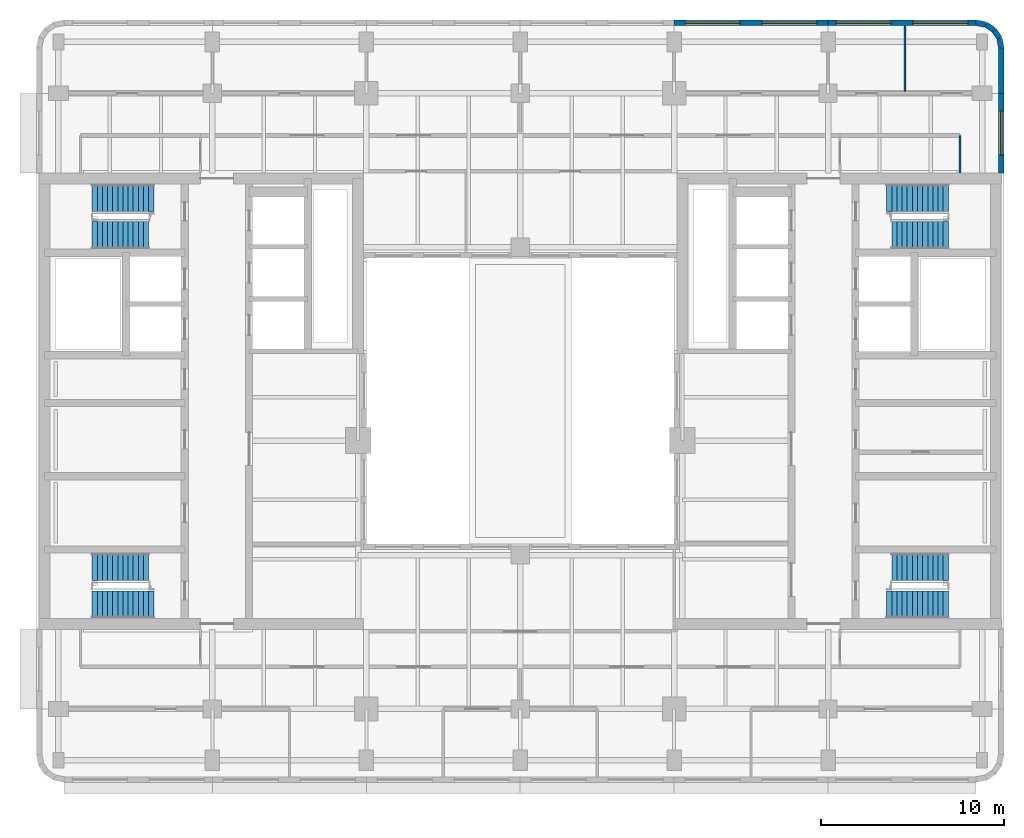
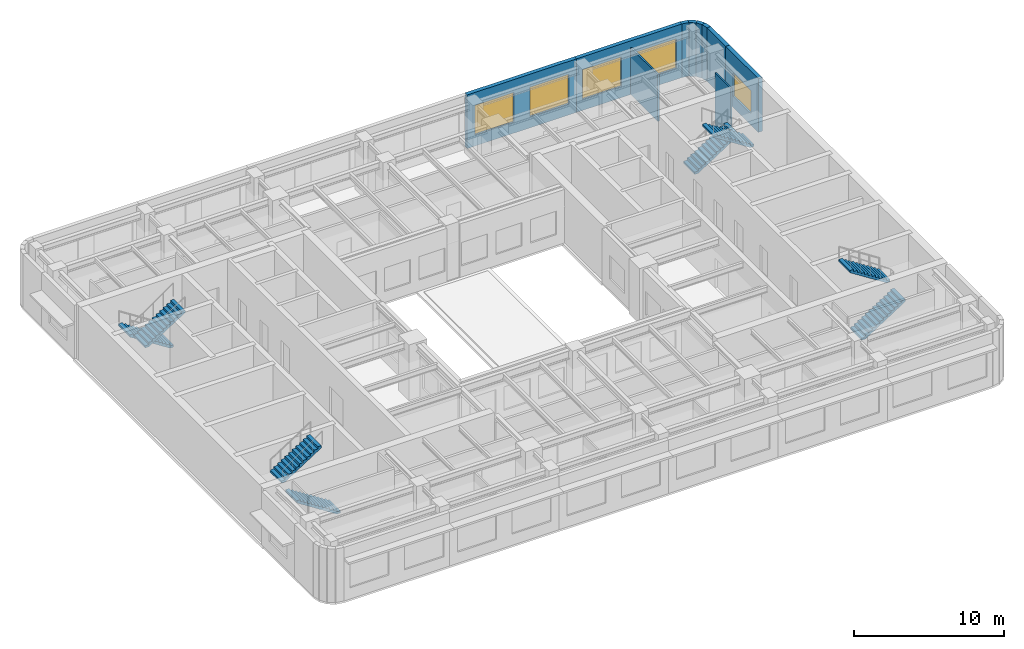
# One storey, part 8 of 11: 10 walls, 8 stair flights, 5 windows, 5 openings, 4 elements without a shape of their own.
"""IFC4 building model written with IfcOpenShell, lengths in metres."""

from ifc_helpers import new_model, si_unit, direction, frame, frame_2d, origin, place, context, subcontext, project, spatial, polyline, rectangle, outline, extrude, material, layer, layer_set, type_object, element, fill, aggregate, save


model = new_model("IFC4")

# Units and contexts
model_context = context("Model", 3, precision=1e-05, world=origin(), true_north=direction((0.0, 1.0)))
body_context = subcontext(model_context, "Body", "Model", "MODEL_VIEW")
ifc_project = project(units=[si_unit("LENGTHUNIT", "METRE"), si_unit("AREAUNIT", "SQUARE_METRE"), si_unit("VOLUMEUNIT", "CUBIC_METRE"), si_unit("PLANEANGLEUNIT", "RADIAN"), si_unit("MASSUNIT", "GRAM", prefix="KILO")], contexts=[model_context])

# Site, building, storey
site_placement = place(None, origin())
site = spatial("IfcSite", under=ifc_project, at=site_placement, CompositionType="ELEMENT")
building_placement = place(site_placement, origin())
building = spatial("IfcBuilding", under=site, at=building_placement, Name="Claustro Exchange Tower", CompositionType="ELEMENT")
storey_placement = place(building_placement, frame((0.0, 0.0, 254.699951171875)))
storey = spatial("IfcBuildingStorey", under=building, at=storey_placement, Name="L58", CompositionType="ELEMENT", Elevation=254.699951171875)

# Walls
ifc_material_1 = material(Name="Laminated glass in aluminium frame", Category="aluminium")
ifc_layer_1 = layer(ifc_material_1, 0.1201171875)
ifc_layer_set_1 = layer_set([ifc_layer_1], Name="Laminated glass in aluminium frame")
wall_type_1 = type_object("IfcWallType", Name="P2 120 glazed partition", PredefinedType="PARTITIONING", material=ifc_layer_set_1)
wall_1_placement = place(storey_placement, frame((46.199951171875, 42.097900390625, 0.0), z_axis=(0.0, 0.0, 1.0), x_axis=(0.0, 1.0, 0.0)))
element("IfcWall", 1, at=wall_1_placement, inside=storey, type_object=wall_type_1, Name="Partition P2 L58", PredefinedType="PARTITIONING", context=body_context, shape_type="SweptSolid", body=[
    extrude(rectangle(XDim=3.60400390625, YDim=0.1201171875, at=frame_2d((1.802001953125, 0.0))), origin(), (0.0, 0.0, 1.0), 3.800048828125),
])
wall_2_placement = place(storey_placement, frame((49.199951171875, 37.64794921875, 0.0), z_axis=(0.0, 0.0, 1.0), x_axis=(0.0, 1.0, 0.0)))
element("IfcWall", 2, at=wall_2_placement, inside=storey, type_object=wall_type_1, Name="Partition P2 L58", PredefinedType="PARTITIONING", context=body_context, shape_type="SweptSolid", body=[
    extrude(rectangle(XDim=2.052001953125, YDim=0.1201171875, at=frame_2d((1.02587890625, 0.0))), origin(), (0.0, 0.0, 1.0), 4.35009765625),
])

# Wall, openings, windows
ifc_material_2 = material(Name="Concrete HA-40 (C40/50), precast, white cement, acid-etched", Category="concrete")
ifc_layer_2 = layer(ifc_material_2, 0.300048828125)
ifc_layer_set_2 = layer_set([ifc_layer_2], Name="Concrete HA-40 (C40/50), precast, white cement, acid-etched")
wall_type_2 = type_object("IfcWallType", Name="PC1 300 precast concrete pier panel", PredefinedType="SOLIDWALL", material=ifc_layer_set_2)
wall_3_placement = place(storey_placement, frame((33.60009765625, 45.85009765625, 0.0), z_axis=(0.0, 0.0, 1.0), x_axis=(1.0, 0.0, 0.0)))
wall_3 = element("IfcWall", 3, at=wall_3_placement, inside=storey, type_object=wall_type_2, Name="Precast pier panel PC1 L58", PredefinedType="SOLIDWALL", context=body_context, shape_type="SweptSolid", body=[
    extrude(rectangle(XDim=8.39990234375, YDim=0.300048828125, at=frame_2d((4.199951171875, 0.0))), origin(), (0.0, 0.0, 1.0), 4.35009765625),
])
opening_1_placement = place(wall_3_placement, frame((0.60009765625, 0.0, 0.89990234375)))
opening_1 = element("IfcOpeningElement", 4, at=opening_1_placement, cuts=wall_3, Name="Opening W3", PredefinedType="OPENING", context=body_context, shape_type="SweptSolid", body=[
    extrude(rectangle(XDim=3.0, YDim=2.39990234375, at=frame_2d((1.5, 1.199951171875))), frame((0.0, 0.159912109375, 0.0), z_axis=(0.0, -1.0, 0.0), x_axis=(1.0, 0.0, 0.0)), (0.0, 0.0, 1.0), 0.320068359375),
])
opening_2_placement = place(wall_3_placement, frame((4.800048828125, 0.0, 0.89990234375)))
opening_2 = element("IfcOpeningElement", 5, at=opening_2_placement, cuts=wall_3, Name="Opening W3", PredefinedType="OPENING", context=body_context, shape_type="SweptSolid", body=[
    extrude(rectangle(XDim=3.0, YDim=2.39990234375, at=frame_2d((1.5, 1.199951171875))), frame((0.0, 0.159912109375, 0.0), z_axis=(0.0, -1.0, 0.0), x_axis=(1.0, 0.0, 0.0)), (0.0, 0.0, 1.0), 0.320068359375),
])
ifc_material_3 = material(Name="Aluminium frame, clear double glazing", Category="aluminium")
window_type_1 = type_object("IfcWindowType", Name="W3 3000 x 2400 window", PartitioningType="SINGLE_PANEL", PredefinedType="WINDOW", material=ifc_material_3)
window_1_placement = place(opening_1_placement, origin())
window_1 = element("IfcWindow", 6, at=window_1_placement, inside=storey, type_object=window_type_1, Name="Window W3 L58", OverallHeight=2.39990234375, OverallWidth=3.0, PartitioningType="SINGLE_PANEL", PredefinedType="WINDOW", context=body_context, shape_type="SweptSolid", body=[
    extrude(rectangle(XDim=3.0, YDim=2.39990234375, at=frame_2d((1.5, 1.199951171875))), frame((0.0, 0.030029296875, 0.0), z_axis=(0.0, -1.0, 0.0), x_axis=(1.0, 0.0, 0.0)), (0.0, 0.0, 1.0), 0.06005859375),
])
fill(opening_1, window_1)
window_2_placement = place(opening_2_placement, origin())
window_2 = element("IfcWindow", 7, at=window_2_placement, inside=storey, type_object=window_type_1, Name="Window W3 L58", OverallHeight=2.39990234375, OverallWidth=3.0, PartitioningType="SINGLE_PANEL", PredefinedType="WINDOW", context=body_context, shape_type="SweptSolid", body=[
    extrude(rectangle(XDim=3.0, YDim=2.39990234375, at=frame_2d((1.5, 1.199951171875))), frame((0.0, 0.030029296875, 0.0), z_axis=(0.0, -1.0, 0.0), x_axis=(1.0, 0.0, 0.0)), (0.0, 0.0, 1.0), 0.06005859375),
])
fill(opening_2, window_2)

wall_4_placement = place(storey_placement, frame((42.0, 45.85009765625, 0.0), z_axis=(0.0, 0.0, 1.0), x_axis=(1.0, 0.0, 0.0)))
wall_4 = element("IfcWall", 8, at=wall_4_placement, inside=storey, type_object=wall_type_2, Name="Precast pier panel PC1 L58", PredefinedType="SOLIDWALL", context=body_context, shape_type="SweptSolid", body=[
    extrude(rectangle(XDim=8.085205078125, YDim=0.300048828125, at=frame_2d((4.04248046875, 0.0))), origin(), (0.0, 0.0, 1.0), 4.35009765625),
])
opening_3_placement = place(wall_4_placement, frame((0.442626953125, 0.0, 0.89990234375)))
opening_3 = element("IfcOpeningElement", 9, at=opening_3_placement, cuts=wall_4, Name="Opening W3", PredefinedType="OPENING", context=body_context, shape_type="SweptSolid", body=[
    extrude(rectangle(XDim=3.0, YDim=2.39990234375, at=frame_2d((1.5, 1.199951171875))), frame((0.0, 0.159912109375, 0.0), z_axis=(0.0, -1.0, 0.0), x_axis=(1.0, 0.0, 0.0)), (0.0, 0.0, 1.0), 0.320068359375),
])
opening_4_placement = place(wall_4_placement, frame((4.642578125, 0.0, 0.89990234375)))
opening_4 = element("IfcOpeningElement", 10, at=opening_4_placement, cuts=wall_4, Name="Opening W3", PredefinedType="OPENING", context=body_context, shape_type="SweptSolid", body=[
    extrude(rectangle(XDim=3.0, YDim=2.39990234375, at=frame_2d((1.5, 1.199951171875))), frame((0.0, 0.159912109375, 0.0), z_axis=(0.0, -1.0, 0.0), x_axis=(1.0, 0.0, 0.0)), (0.0, 0.0, 1.0), 0.320068359375),
])
window_3_placement = place(opening_3_placement, origin())
window_3 = element("IfcWindow", 11, at=window_3_placement, inside=storey, type_object=window_type_1, Name="Window W3 L58", OverallHeight=2.39990234375, OverallWidth=3.0, PartitioningType="SINGLE_PANEL", PredefinedType="WINDOW", context=body_context, shape_type="SweptSolid", body=[
    extrude(rectangle(XDim=3.0, YDim=2.39990234375, at=frame_2d((1.5, 1.199951171875))), frame((0.0, 0.030029296875, 0.0), z_axis=(0.0, -1.0, 0.0), x_axis=(1.0, 0.0, 0.0)), (0.0, 0.0, 1.0), 0.06005859375),
])
fill(opening_3, window_3)
window_4_placement = place(opening_4_placement, origin())
window_4 = element("IfcWindow", 12, at=window_4_placement, inside=storey, type_object=window_type_1, Name="Window W3 L58", OverallHeight=2.39990234375, OverallWidth=3.0, PartitioningType="SINGLE_PANEL", PredefinedType="WINDOW", context=body_context, shape_type="SweptSolid", body=[
    extrude(rectangle(XDim=3.0, YDim=2.39990234375, at=frame_2d((1.5, 1.199951171875))), frame((0.0, 0.030029296875, 0.0), z_axis=(0.0, -1.0, 0.0), x_axis=(1.0, 0.0, 0.0)), (0.0, 0.0, 1.0), 0.06005859375),
])
fill(opening_4, window_4)

# Walls
wall_5_placement = place(storey_placement, frame((50.085205078125, 45.85009765625, 0.0), z_axis=(0.0, 0.0, 1.0), x_axis=(0.980702050465, -0.1955082817, 0.0)))
element("IfcWall", 13, at=wall_5_placement, inside=storey, type_object=wall_type_2, Name="Precast pier panel PC1 L58", PredefinedType="SOLIDWALL", context=body_context, shape_type="SweptSolid", body=[
    extrude(rectangle(XDim=0.540771484375, YDim=0.300048828125, at=frame_2d((0.2705078125, 0.0))), origin(), (0.0, 0.0, 1.0), 4.35009765625),
])
wall_6_placement = place(storey_placement, frame((50.615478515625, 45.744384765625, 0.0), z_axis=(0.0, 0.0, 1.0), x_axis=(0.831692711774, -0.555236195849, 0.0)))
element("IfcWall", 14, at=wall_6_placement, inside=storey, type_object=wall_type_2, Name="Precast pier panel PC1 L58", PredefinedType="SOLIDWALL", context=body_context, shape_type="SweptSolid", body=[
    extrude(rectangle(XDim=0.525390625, YDim=0.300048828125, at=frame_2d((0.2626953125, 0.0))), origin(), (0.0, 0.0, 1.0), 4.35009765625),
])
wall_7_placement = place(storey_placement, frame((51.052490234375, 45.45263671875, 0.0), z_axis=(0.0, 0.0, 1.0), x_axis=(0.55534295404, -0.831621430339, 0.0)))
element("IfcWall", 15, at=wall_7_placement, inside=storey, type_object=wall_type_2, Name="Precast pier panel PC1 L58", PredefinedType="SOLIDWALL", context=body_context, shape_type="SweptSolid", body=[
    extrude(rectangle(XDim=0.52587890625, YDim=0.300048828125, at=frame_2d((0.262939453125, 0.0))), origin(), (0.0, 0.0, 1.0), 4.35009765625),
])
wall_8_placement = place(storey_placement, frame((51.344482421875, 45.015380859375, 0.0), z_axis=(0.0, 0.0, 1.0), x_axis=(0.195073962632, -0.980788534345, 0.0)))
element("IfcWall", 16, at=wall_8_placement, inside=storey, type_object=wall_type_2, Name="Precast pier panel PC1 L58", PredefinedType="SOLIDWALL", context=body_context, shape_type="SweptSolid", body=[
    extrude(rectangle(XDim=0.540771484375, YDim=0.300048828125, at=frame_2d((0.2705078125, 0.0))), origin(), (0.0, 0.0, 1.0), 4.35009765625),
])
wall_9_placement = place(storey_placement, frame((51.449951171875, 44.485107421875, 0.0), z_axis=(0.0, 0.0, 1.0), x_axis=(0.0, -1.0, 0.0)))
element("IfcWall", 17, at=wall_9_placement, inside=storey, type_object=wall_type_2, Name="Precast pier panel PC1 L58", PredefinedType="SOLIDWALL", context=body_context, shape_type="SweptSolid", body=[
    extrude(rectangle(XDim=2.485107421875, YDim=0.300048828125, at=frame_2d((1.24267578125, 0.0))), origin(), (0.0, 0.0, 1.0), 4.35009765625),
])

# Wall, opening, window
wall_10_placement = place(storey_placement, frame((51.449951171875, 42.0, 0.0), z_axis=(0.0, 0.0, 1.0), x_axis=(0.0, -1.0, 0.0)))
wall_10 = element("IfcWall", 18, at=wall_10_placement, inside=storey, type_object=wall_type_2, Name="Precast pier panel PC1 L58", PredefinedType="SOLIDWALL", context=body_context, shape_type="SweptSolid", body=[
    extrude(rectangle(XDim=4.35009765625, YDim=0.300048828125, at=frame_2d((2.175048828125, 0.0))), origin(), (0.0, 0.0, 1.0), 4.35009765625),
])
opening_5_placement = place(wall_10_placement, frame((0.97509765625, 0.0, 0.89990234375)))
opening_5 = element("IfcOpeningElement", 19, at=opening_5_placement, cuts=wall_10, Name="Opening W2", PredefinedType="OPENING", context=body_context, shape_type="SweptSolid", body=[
    extrude(rectangle(XDim=2.39990234375, YDim=1.89990234375, at=frame_2d((1.199951171875, 0.949951171875))), frame((0.0, 0.159912109375, 0.0), z_axis=(0.0, -1.0, 0.0), x_axis=(1.0, 0.0, 0.0)), (0.0, 0.0, 1.0), 0.320068359375),
])
ifc_material_4 = material(Name="Aluminium frame, clear double glazing", Category="aluminium")
window_type_2 = type_object("IfcWindowType", Name="W2 2400 x 1900 window", PartitioningType="SINGLE_PANEL", PredefinedType="WINDOW", material=ifc_material_4)
window_5_placement = place(opening_5_placement, origin())
window_5 = element("IfcWindow", 20, at=window_5_placement, inside=storey, type_object=window_type_2, Name="Window W2 L58", OverallHeight=1.89990234375, OverallWidth=2.39990234375, PartitioningType="SINGLE_PANEL", PredefinedType="WINDOW", context=body_context, shape_type="SweptSolid", body=[
    extrude(rectangle(XDim=2.39990234375, YDim=1.89990234375, at=frame_2d((1.199951171875, 0.949951171875))), frame((0.0, 0.030029296875, 0.0), z_axis=(0.0, -1.0, 0.0), x_axis=(1.0, 0.0, 0.0)), (0.0, 0.0, 1.0), 0.06005859375),
])
fill(opening_5, window_5)

# Stair, stair flight
ifc_material_5 = material(Name="Concrete HA-30 (C30/37), precast", Category="concrete")
stair_type = type_object("IfcStairType", Name="ST2 half-turn stair, 25 risers of 180", PredefinedType="HALF_TURN_STAIR", material=ifc_material_5)
stair_1_placement = place(storey_placement, origin())
stair_1 = element("IfcStair", 21, at=stair_1_placement, inside=storey, type_object=stair_type, Name="Stair STWA L58", PredefinedType="HALF_TURN_STAIR")
ifc_material_6 = material(Name="Concrete HA-30 (C30/37), precast", Category="concrete")
stair_flight_type_1 = type_object("IfcStairFlightType", Name="SF12B straight flight, 12 risers of 180, 1500 wide", PredefinedType="STRAIGHT", material=ifc_material_6)
stair_flight_1_placement = place(storey_placement, frame((1.840087890625, 16.14990234375, 2.340087890625), z_axis=(0.0, 0.0, 1.0), x_axis=(1.0, 0.0, 0.0)))
stair_flight_1 = element("IfcStairFlight", 22, at=stair_flight_1_placement, type_object=stair_flight_type_1, Name="STWA flight 2", NumberOfRisers=12, NumberOfTreads=11, PredefinedType="STRAIGHT", RiserHeight=0.18, TreadLength=0.28, context=body_context, shape_type="SweptSolid", body=[
    extrude(outline(polyline([(0.0, 0.0), (0.0, 0.179931640625), (0.280029296875, 0.179931640625), (0.280029296875, 0.360107421875), (0.56005859375, 0.360107421875), (0.56005859375, 0.5400390625), (0.840087890625, 0.5400390625), (0.840087890625, 0.719970703125), (1.1201171875, 0.719970703125), (1.1201171875, 0.89990234375), (1.39990234375, 0.89990234375), (1.39990234375, 1.080078125), (1.679931640625, 1.080078125), (1.679931640625, 1.260009765625), (1.9599609375, 1.260009765625), (1.9599609375, 1.43994140625), (2.239990234375, 1.43994140625), (2.239990234375, 1.6201171875), (2.52001953125, 1.6201171875), (2.52001953125, 1.800048828125), (2.800048828125, 1.800048828125), (2.800048828125, 1.97998046875), (3.080078125, 1.97998046875), (3.080078125, 2.159912109375), (3.080078125, 1.8017578125), (0.277099609375, 0.0), (0.0, 0.0)])), frame((0.0, 0.75, 0.0), z_axis=(0.0, -1.0, 0.0), x_axis=(1.0, 0.0, 0.0)), (0.0, 0.0, 1.0), 1.5),
])

stair_2_placement = place(storey_placement, origin())
stair_2 = element("IfcStair", 23, at=stair_2_placement, inside=storey, type_object=stair_type, Name="Stair STWB L58", PredefinedType="HALF_TURN_STAIR")
stair_flight_2_placement = place(storey_placement, frame((1.840087890625, 34.25, 2.340087890625), z_axis=(0.0, 0.0, 1.0), x_axis=(1.0, 0.0, 0.0)))
stair_flight_2 = element("IfcStairFlight", 24, at=stair_flight_2_placement, type_object=stair_flight_type_1, Name="STWB flight 2", NumberOfRisers=12, NumberOfTreads=11, PredefinedType="STRAIGHT", RiserHeight=0.18, TreadLength=0.28, context=body_context, shape_type="SweptSolid", body=[
    extrude(outline(polyline([(0.0, 0.0), (0.0, 0.179931640625), (0.280029296875, 0.179931640625), (0.280029296875, 0.360107421875), (0.56005859375, 0.360107421875), (0.56005859375, 0.5400390625), (0.840087890625, 0.5400390625), (0.840087890625, 0.719970703125), (1.1201171875, 0.719970703125), (1.1201171875, 0.89990234375), (1.39990234375, 0.89990234375), (1.39990234375, 1.080078125), (1.679931640625, 1.080078125), (1.679931640625, 1.260009765625), (1.9599609375, 1.260009765625), (1.9599609375, 1.43994140625), (2.239990234375, 1.43994140625), (2.239990234375, 1.6201171875), (2.52001953125, 1.6201171875), (2.52001953125, 1.800048828125), (2.800048828125, 1.800048828125), (2.800048828125, 1.97998046875), (3.080078125, 1.97998046875), (3.080078125, 2.159912109375), (3.080078125, 1.8017578125), (0.277099609375, 0.0), (0.0, 0.0)])), frame((0.0, 0.75, 0.0), z_axis=(0.0, -1.0, 0.0), x_axis=(1.0, 0.0, 0.0)), (0.0, 0.0, 1.0), 1.5),
])

stair_3_placement = place(storey_placement, origin())
stair_3 = element("IfcStair", 25, at=stair_3_placement, inside=storey, type_object=stair_type, Name="Stair STEA L58", PredefinedType="HALF_TURN_STAIR")
stair_flight_3_placement = place(storey_placement, frame((48.56005859375, 16.14990234375, 2.340087890625), z_axis=(0.0, 0.0, 1.0), x_axis=(-1.0, 0.0, 0.0)))
stair_flight_3 = element("IfcStairFlight", 26, at=stair_flight_3_placement, type_object=stair_flight_type_1, Name="STEA flight 2", NumberOfRisers=12, NumberOfTreads=11, PredefinedType="STRAIGHT", RiserHeight=0.18, TreadLength=0.28, context=body_context, shape_type="SweptSolid", body=[
    extrude(outline(polyline([(0.0, 0.0), (0.0, 0.179931640625), (0.280029296875, 0.179931640625), (0.280029296875, 0.360107421875), (0.56005859375, 0.360107421875), (0.56005859375, 0.5400390625), (0.840087890625, 0.5400390625), (0.840087890625, 0.719970703125), (1.1201171875, 0.719970703125), (1.1201171875, 0.89990234375), (1.39990234375, 0.89990234375), (1.39990234375, 1.080078125), (1.679931640625, 1.080078125), (1.679931640625, 1.260009765625), (1.9599609375, 1.260009765625), (1.9599609375, 1.43994140625), (2.239990234375, 1.43994140625), (2.239990234375, 1.6201171875), (2.52001953125, 1.6201171875), (2.52001953125, 1.800048828125), (2.800048828125, 1.800048828125), (2.800048828125, 1.97998046875), (3.080078125, 1.97998046875), (3.080078125, 2.159912109375), (3.080078125, 1.8017578125), (0.277099609375, 0.0), (0.0, 0.0)])), frame((0.0, 0.75, 0.0), z_axis=(0.0, -1.0, 0.0), x_axis=(1.0, 0.0, 0.0)), (0.0, 0.0, 1.0), 1.5),
])

stair_4_placement = place(storey_placement, origin())
stair_4 = element("IfcStair", 27, at=stair_4_placement, inside=storey, type_object=stair_type, Name="Stair STEB L58", PredefinedType="HALF_TURN_STAIR")
stair_flight_4_placement = place(storey_placement, frame((48.56005859375, 34.25, 2.340087890625), z_axis=(0.0, 0.0, 1.0), x_axis=(-1.0, 0.0, 0.0)))
stair_flight_4 = element("IfcStairFlight", 28, at=stair_flight_4_placement, type_object=stair_flight_type_1, Name="STEB flight 2", NumberOfRisers=12, NumberOfTreads=11, PredefinedType="STRAIGHT", RiserHeight=0.18, TreadLength=0.28, context=body_context, shape_type="SweptSolid", body=[
    extrude(outline(polyline([(0.0, 0.0), (0.0, 0.179931640625), (0.280029296875, 0.179931640625), (0.280029296875, 0.360107421875), (0.56005859375, 0.360107421875), (0.56005859375, 0.5400390625), (0.840087890625, 0.5400390625), (0.840087890625, 0.719970703125), (1.1201171875, 0.719970703125), (1.1201171875, 0.89990234375), (1.39990234375, 0.89990234375), (1.39990234375, 1.080078125), (1.679931640625, 1.080078125), (1.679931640625, 1.260009765625), (1.9599609375, 1.260009765625), (1.9599609375, 1.43994140625), (2.239990234375, 1.43994140625), (2.239990234375, 1.6201171875), (2.52001953125, 1.6201171875), (2.52001953125, 1.800048828125), (2.800048828125, 1.800048828125), (2.800048828125, 1.97998046875), (3.080078125, 1.97998046875), (3.080078125, 2.159912109375), (3.080078125, 1.8017578125), (0.277099609375, 0.0), (0.0, 0.0)])), frame((0.0, 0.75, 0.0), z_axis=(0.0, -1.0, 0.0), x_axis=(1.0, 0.0, 0.0)), (0.0, 0.0, 1.0), 1.5),
])

# Stair flight
ifc_material_7 = material(Name="Concrete HA-30 (C30/37), precast", Category="concrete")
stair_flight_type_2 = type_object("IfcStairFlightType", Name="SF13 straight flight, 13 risers of 180, 1500 wide", PredefinedType="STRAIGHT", material=ifc_material_7)
stair_flight_5_placement = place(storey_placement, frame((5.199951171875, 14.10009765625, 0.0), z_axis=(0.0, 0.0, 1.0), x_axis=(-1.0, 0.0, 0.0)))
stair_flight_5 = element("IfcStairFlight", 29, at=stair_flight_5_placement, type_object=stair_flight_type_2, Name="STWA flight 1", NumberOfRisers=13, NumberOfTreads=12, PredefinedType="STRAIGHT", RiserHeight=0.18, TreadLength=0.28, context=body_context, shape_type="SweptSolid", body=[
    extrude(outline(polyline([(0.0, 0.0), (0.0, 0.179931640625), (0.280029296875, 0.179931640625), (0.280029296875, 0.360107421875), (0.56005859375, 0.360107421875), (0.56005859375, 0.5400390625), (0.840087890625, 0.5400390625), (0.840087890625, 0.719970703125), (1.1201171875, 0.719970703125), (1.1201171875, 0.89990234375), (1.39990234375, 0.89990234375), (1.39990234375, 1.080078125), (1.679931640625, 1.080078125), (1.679931640625, 1.260009765625), (1.9599609375, 1.260009765625), (1.9599609375, 1.43994140625), (2.239990234375, 1.43994140625), (2.239990234375, 1.6201171875), (2.52001953125, 1.6201171875), (2.52001953125, 1.800048828125), (2.800048828125, 1.800048828125), (2.800048828125, 1.97998046875), (3.080078125, 1.97998046875), (3.080078125, 2.159912109375), (3.360107421875, 2.159912109375), (3.360107421875, 2.340087890625), (3.360107421875, 1.981689453125), (0.277099609375, 0.0), (0.0, 0.0)])), frame((0.0, 0.75, 0.0), z_axis=(0.0, -1.0, 0.0), x_axis=(1.0, 0.0, 0.0)), (0.0, 0.0, 1.0), 1.5),
])

aggregate(stair_1, [stair_flight_5, stair_flight_1])

stair_flight_6_placement = place(storey_placement, frame((5.199951171875, 36.300048828125, 0.0), z_axis=(0.0, 0.0, 1.0), x_axis=(-1.0, 0.0, 0.0)))
stair_flight_6 = element("IfcStairFlight", 30, at=stair_flight_6_placement, type_object=stair_flight_type_2, Name="STWB flight 1", NumberOfRisers=13, NumberOfTreads=12, PredefinedType="STRAIGHT", RiserHeight=0.18, TreadLength=0.28, context=body_context, shape_type="SweptSolid", body=[
    extrude(outline(polyline([(0.0, 0.0), (0.0, 0.179931640625), (0.280029296875, 0.179931640625), (0.280029296875, 0.360107421875), (0.56005859375, 0.360107421875), (0.56005859375, 0.5400390625), (0.840087890625, 0.5400390625), (0.840087890625, 0.719970703125), (1.1201171875, 0.719970703125), (1.1201171875, 0.89990234375), (1.39990234375, 0.89990234375), (1.39990234375, 1.080078125), (1.679931640625, 1.080078125), (1.679931640625, 1.260009765625), (1.9599609375, 1.260009765625), (1.9599609375, 1.43994140625), (2.239990234375, 1.43994140625), (2.239990234375, 1.6201171875), (2.52001953125, 1.6201171875), (2.52001953125, 1.800048828125), (2.800048828125, 1.800048828125), (2.800048828125, 1.97998046875), (3.080078125, 1.97998046875), (3.080078125, 2.159912109375), (3.360107421875, 2.159912109375), (3.360107421875, 2.340087890625), (3.360107421875, 1.981689453125), (0.277099609375, 0.0), (0.0, 0.0)])), frame((0.0, 0.75, 0.0), z_axis=(0.0, -1.0, 0.0), x_axis=(1.0, 0.0, 0.0)), (0.0, 0.0, 1.0), 1.5),
])

aggregate(stair_2, [stair_flight_6, stair_flight_2])

stair_flight_7_placement = place(storey_placement, frame((45.199951171875, 14.10009765625, 0.0), z_axis=(0.0, 0.0, 1.0), x_axis=(1.0, 0.0, 0.0)))
stair_flight_7 = element("IfcStairFlight", 31, at=stair_flight_7_placement, type_object=stair_flight_type_2, Name="STEA flight 1", NumberOfRisers=13, NumberOfTreads=12, PredefinedType="STRAIGHT", RiserHeight=0.18, TreadLength=0.28, context=body_context, shape_type="SweptSolid", body=[
    extrude(outline(polyline([(0.0, 0.0), (0.0, 0.179931640625), (0.280029296875, 0.179931640625), (0.280029296875, 0.360107421875), (0.56005859375, 0.360107421875), (0.56005859375, 0.5400390625), (0.840087890625, 0.5400390625), (0.840087890625, 0.719970703125), (1.1201171875, 0.719970703125), (1.1201171875, 0.89990234375), (1.39990234375, 0.89990234375), (1.39990234375, 1.080078125), (1.679931640625, 1.080078125), (1.679931640625, 1.260009765625), (1.9599609375, 1.260009765625), (1.9599609375, 1.43994140625), (2.239990234375, 1.43994140625), (2.239990234375, 1.6201171875), (2.52001953125, 1.6201171875), (2.52001953125, 1.800048828125), (2.800048828125, 1.800048828125), (2.800048828125, 1.97998046875), (3.080078125, 1.97998046875), (3.080078125, 2.159912109375), (3.360107421875, 2.159912109375), (3.360107421875, 2.340087890625), (3.360107421875, 1.981689453125), (0.277099609375, 0.0), (0.0, 0.0)])), frame((0.0, 0.75, 0.0), z_axis=(0.0, -1.0, 0.0), x_axis=(1.0, 0.0, 0.0)), (0.0, 0.0, 1.0), 1.5),
])

aggregate(stair_3, [stair_flight_7, stair_flight_3])

stair_flight_8_placement = place(storey_placement, frame((45.199951171875, 36.300048828125, 0.0), z_axis=(0.0, 0.0, 1.0), x_axis=(1.0, 0.0, 0.0)))
stair_flight_8 = element("IfcStairFlight", 32, at=stair_flight_8_placement, type_object=stair_flight_type_2, Name="STEB flight 1", NumberOfRisers=13, NumberOfTreads=12, PredefinedType="STRAIGHT", RiserHeight=0.18, TreadLength=0.28, context=body_context, shape_type="SweptSolid", body=[
    extrude(outline(polyline([(0.0, 0.0), (0.0, 0.179931640625), (0.280029296875, 0.179931640625), (0.280029296875, 0.360107421875), (0.56005859375, 0.360107421875), (0.56005859375, 0.5400390625), (0.840087890625, 0.5400390625), (0.840087890625, 0.719970703125), (1.1201171875, 0.719970703125), (1.1201171875, 0.89990234375), (1.39990234375, 0.89990234375), (1.39990234375, 1.080078125), (1.679931640625, 1.080078125), (1.679931640625, 1.260009765625), (1.9599609375, 1.260009765625), (1.9599609375, 1.43994140625), (2.239990234375, 1.43994140625), (2.239990234375, 1.6201171875), (2.52001953125, 1.6201171875), (2.52001953125, 1.800048828125), (2.800048828125, 1.800048828125), (2.800048828125, 1.97998046875), (3.080078125, 1.97998046875), (3.080078125, 2.159912109375), (3.360107421875, 2.159912109375), (3.360107421875, 2.340087890625), (3.360107421875, 1.981689453125), (0.277099609375, 0.0), (0.0, 0.0)])), frame((0.0, 0.75, 0.0), z_axis=(0.0, -1.0, 0.0), x_axis=(1.0, 0.0, 0.0)), (0.0, 0.0, 1.0), 1.5),
])

aggregate(stair_4, [stair_flight_8, stair_flight_4])

save(model, "model.ifc")
